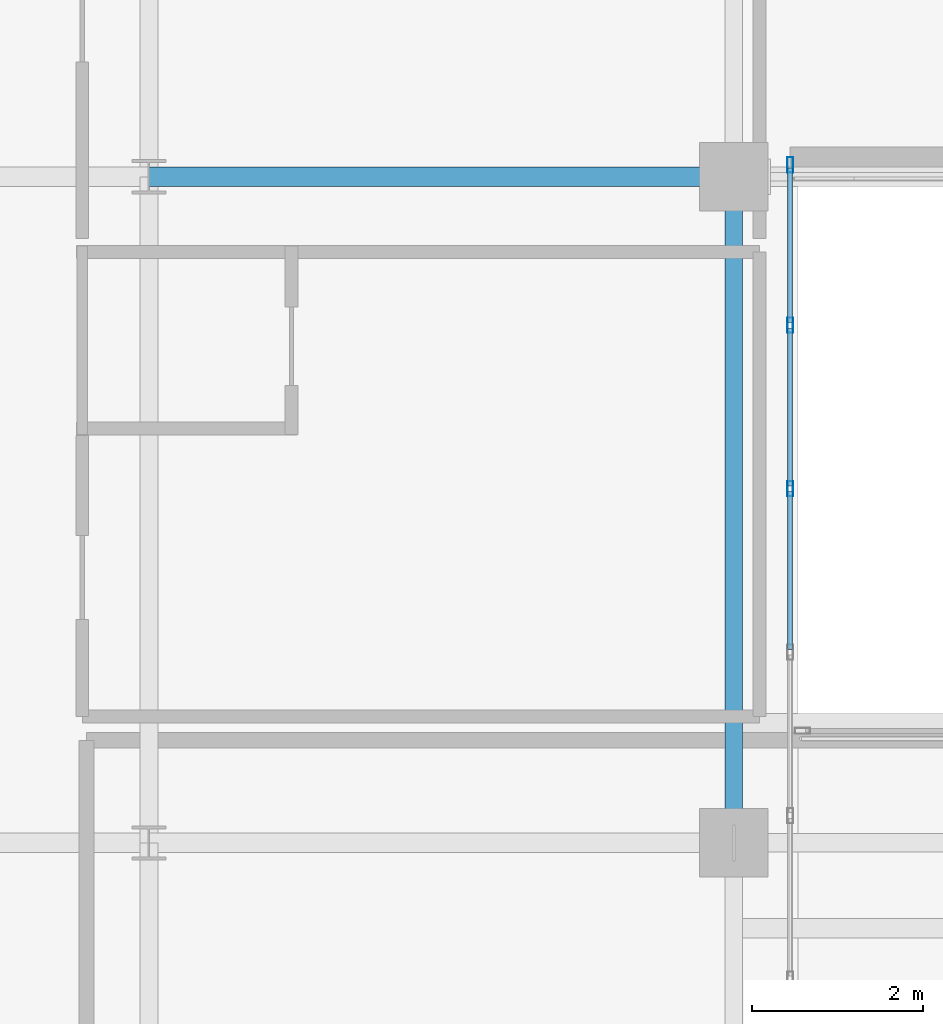
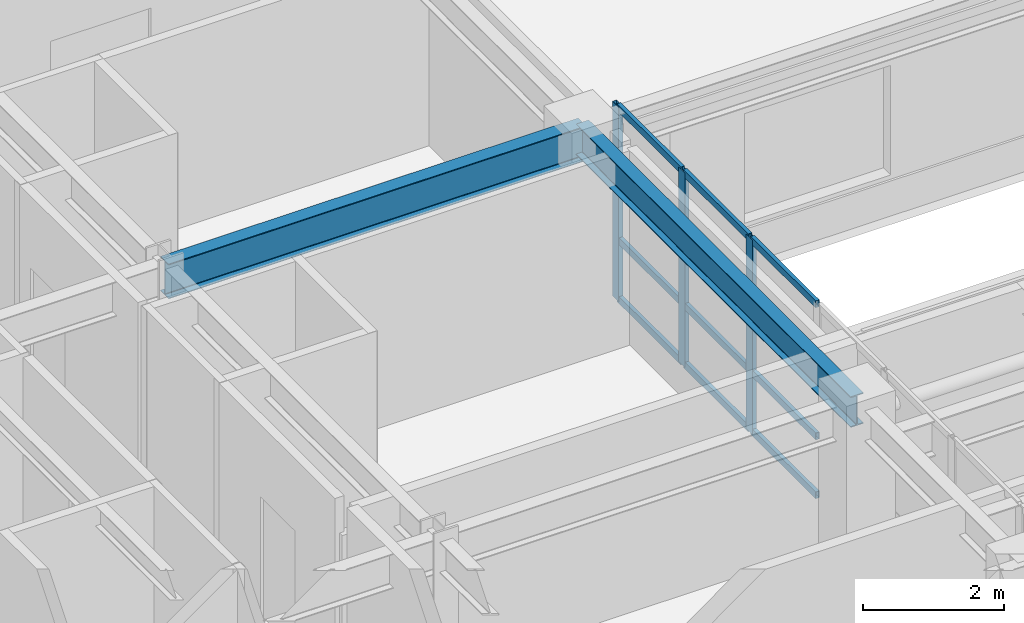
# One storey, part 5 of 26: 12 members, 2 beams, 1 element without a shape of its own.
"""IFC4 building model written with IfcOpenShell, lengths in metres."""

import ifcopenshell
import ifcopenshell.guid

model = None  # the IFC model being written
_history = None  # IfcOwnerHistory: only IFC2X3 demands one
_inside = {}  # id of a spatial element -> (the spatial element, [elements in it])
_under = {}  # id of a project, library or spatial element -> (it, [spatial elements below it])
_declared = {}  # id of a project -> (the project, [libraries it declares])
_typed = {}  # id of a type object -> (the type object, [elements of that type])
_made_of = {}  # id of a material, layer set ... -> (it, [elements and type objects made of it])


def new_model(schema):
    """Start an empty IFC model of exactly this schema.

    Asked for "IFC4X3", IfcOpenShell would pick the latest addendum, in which some entities
    have other attributes; the version numbers below select the first issue.
    IFC2X3 requires an IfcOwnerHistory on every rooted entity: one is made here for all.
    """
    global model, _history
    if schema == "IFC4X3":
        model = ifcopenshell.file(schema_version=(4, 3, 0, 0))
    else:
        model = ifcopenshell.file(schema=schema)
    _inside.clear()
    _under.clear()
    _declared.clear()
    _typed.clear()
    _made_of.clear()
    _history = None
    if model.schema == "IFC2X3":
        org = make("IfcOrganization", Name="unknown")
        user = make(
            "IfcPersonAndOrganization",
            ThePerson=make("IfcPerson", FamilyName="unknown"),
            TheOrganization=org,
        )
        app = make(
            "IfcApplication",
            ApplicationDeveloper=org,
            Version="unknown",
            ApplicationFullName="unknown",
            ApplicationIdentifier="unknown",
        )
        _history = make(
            "IfcOwnerHistory",
            OwningUser=user,
            OwningApplication=app,
            ChangeAction="ADDED",
            CreationDate=0,
        )
    return model


def make(cls, **values):
    """One entity of the class cls with the attributes given. An attribute that is None is left unset."""
    return model.create_entity(
        cls, **{name: value for name, value in values.items() if value is not None}
    )


def rooted(cls, **values):
    """An entity with a GlobalId (a new one), such as an element, a storey or a relation."""
    return make(cls, GlobalId=ifcopenshell.guid.new(), OwnerHistory=_history, **values)


def si_unit(unit_type, name, prefix=None):
    """IfcSIUnit, for example si_unit("LENGTHUNIT", "METRE", prefix="MILLI")."""
    return make("IfcSIUnit", UnitType=unit_type, Prefix=prefix, Name=name)


def assignment(units):
    """IfcUnitAssignment: the units of a project."""
    return None if units is None else make("IfcUnitAssignment", Units=units)


def point(xyz):
    """IfcCartesianPoint."""
    return None if xyz is None else make("IfcCartesianPoint", Coordinates=xyz)


def direction(xyz):
    """IfcDirection."""
    return None if xyz is None else make("IfcDirection", DirectionRatios=xyz)


def frame(location, z_axis=None, x_axis=None):
    """IfcAxis2Placement3D, a coordinate frame: its origin and axes. An axis left out is left unset."""
    return make(
        "IfcAxis2Placement3D",
        Location=point(location),
        Axis=direction(z_axis),
        RefDirection=direction(x_axis),
    )


def frame_2d(location, x_axis=None):
    """IfcAxis2Placement2D, a coordinate frame in the plane: its origin and x axis."""
    return make(
        "IfcAxis2Placement2D", Location=point(location), RefDirection=direction(x_axis)
    )


def origin():
    """The frame at (0, 0, 0) with its axes left unset."""
    return frame((0.0, 0.0, 0.0))


def origin_2d():
    """The frame at (0, 0) in the plane with its x axis left unset."""
    return frame_2d((0.0, 0.0))


def place(relative_to, where):
    """IfcLocalPlacement: puts the frame where relative to a parent placement (None: the world)."""
    return make(
        "IfcLocalPlacement", PlacementRelTo=relative_to, RelativePlacement=where
    )


def context(
    kind, dimensions, precision=None, world=None, true_north=None, identifier=None
):
    """IfcGeometricRepresentationContext, for example the 3D "Model" context."""
    return make(
        "IfcGeometricRepresentationContext",
        ContextIdentifier=identifier,
        ContextType=kind,
        CoordinateSpaceDimension=dimensions,
        Precision=precision,
        WorldCoordinateSystem=world,
        TrueNorth=true_north,
    )


def subcontext(parent, identifier, kind, view, scale=None):
    """IfcGeometricRepresentationSubContext, for example "Body" below "Model"."""
    return make(
        "IfcGeometricRepresentationSubContext",
        ContextIdentifier=identifier,
        ContextType=kind,
        ParentContext=parent,
        TargetScale=scale,
        TargetView=view,
    )


def project(units=None, contexts=None):
    """IfcProject with its units and contexts."""
    return rooted(
        "IfcProject",
        Name="project",
        RepresentationContexts=contexts,
        UnitsInContext=assignment(units),
    )


def spatial(cls, under=None, at=None, **own):
    """A site, building, storey or space (cls), placed at a placement, below another one or the project."""
    s = rooted(cls, ObjectPlacement=at, **own)
    if under is not None:
        _under.setdefault(under.id(), (under, []))[1].append(s)
    return s


def profile(cls, at=None, kind="AREA", **sizes):
    """A parametric profile (cls). Its sizes go by their IFC names, for example OverallWidth=200.0."""
    return make(cls, ProfileType=kind, Position=at, **sizes)


def hollow_rectangle(**sizes):
    """IfcRectangleHollowProfileDef."""
    return profile("IfcRectangleHollowProfileDef", **sizes)


def i_section(**sizes):
    """IfcIShapeProfileDef."""
    return profile("IfcIShapeProfileDef", **sizes)


def extrude(swept, where, along, depth):
    """IfcExtrudedAreaSolid: the profile swept, set in the frame where, extruded along a direction by depth."""
    return make(
        "IfcExtrudedAreaSolid",
        SweptArea=swept,
        Position=where,
        ExtrudedDirection=direction(along),
        Depth=depth,
    )


def shape(context_of_items, identifier, shape_type, items):
    """IfcShapeRepresentation: the items that make up one representation, for example the "Body"."""
    return make(
        "IfcShapeRepresentation",
        ContextOfItems=context_of_items,
        RepresentationIdentifier=identifier,
        RepresentationType=shape_type,
        Items=items,
    )


def source(mapping_origin, context_of_items, identifier, shape_type, items):
    """IfcRepresentationMap: a shape defined once, which mapped items show again and again."""
    return make(
        "IfcRepresentationMap",
        MappingOrigin=mapping_origin,
        MappedRepresentation=shape(context_of_items, identifier, shape_type, items),
    )


def transform(
    local_origin,
    x_axis=None,
    y_axis=None,
    z_axis=None,
    scale=None,
    scale2=None,
    scale3=None,
    uniform=True,
):
    """IfcCartesianTransformationOperator3D, or its non-uniform kind. x_axis, y_axis, z_axis: its Axis1, 2, 3."""
    if uniform:
        return make(
            "IfcCartesianTransformationOperator3D",
            Axis1=direction(x_axis),
            Axis2=direction(y_axis),
            LocalOrigin=point(local_origin),
            Scale=scale,
            Axis3=direction(z_axis),
        )
    return make(
        "IfcCartesianTransformationOperator3DnonUniform",
        Axis1=direction(x_axis),
        Axis2=direction(y_axis),
        LocalOrigin=point(local_origin),
        Scale=scale,
        Axis3=direction(z_axis),
        Scale2=scale2,
        Scale3=scale3,
    )


def mapped(mapping_source, mapping_target):
    """IfcMappedItem: shows the shape of a source again, moved by a transform."""
    return make(
        "IfcMappedItem", MappingSource=mapping_source, MappingTarget=mapping_target
    )


def material(Name=None, Category=None):
    """IfcMaterial."""
    return make("IfcMaterial", Name=Name, Category=Category)


def layer(
    of_material, thickness, ventilated=None, Name=None, Category=None, Priority=None
):
    """IfcMaterialLayer: one layer of a wall or slab, of a material (None: an air gap)."""
    return make(
        "IfcMaterialLayer",
        Material=of_material,
        LayerThickness=thickness,
        IsVentilated=ventilated,
        Name=Name,
        Category=Category,
        Priority=Priority,
    )


def layer_set(layers, Name=None):
    """IfcMaterialLayerSet."""
    return make("IfcMaterialLayerSet", MaterialLayers=layers, LayerSetName=Name)


def material_profile(
    of_material, cross_section, Name=None, Category=None, Priority=None
):
    """IfcMaterialProfile: a cross section and its material."""
    return make(
        "IfcMaterialProfile",
        Name=Name,
        Material=of_material,
        Profile=cross_section,
        Priority=Priority,
        Category=Category,
    )


def profile_set(profiles, Name=None, composite=None):
    """IfcMaterialProfileSet."""
    return make(
        "IfcMaterialProfileSet",
        Name=Name,
        MaterialProfiles=profiles,
        CompositeProfile=composite,
    )


def made_of(thing, what):
    """Note that an element or type object is made of a material, layer set ...; save() writes the relation."""
    if what is not None:
        _made_of.setdefault(what.id(), (what, []))[1].append(thing)
    return thing


def type_object(cls, material=None, **own):
    """A type object (cls), such as IfcWallType, which elements share."""
    return made_of(rooted(cls, **own), material)


def type_shapes(of_type, sources):
    """Give a type object the sources (RepresentationMaps) that its elements show as mapped items."""
    of_type.RepresentationMaps = sources


def element(
    cls,
    number,
    at=None,
    inside=None,
    cuts=None,
    type_object=None,
    material=None,
    context=None,
    identifier="Body",
    shape_type=None,
    held_by="IfcProductDefinitionShape",
    body=None,
    shapes=None,
    **own,
):
    """One element of the class cls, such as IfcWall. Its Tag is "e" and its number.

    at: its placement. inside: the storey or other place that contains it. cuts: it is an
    opening in that element (IfcRelVoidsElement). A single representation is given by context,
    identifier, shape_type and body (its items); several are given by shapes. held_by: the class
    of the entity that holds the representations. save() writes the other relations.
    """
    e = rooted(cls, Tag="e%d" % number, ObjectPlacement=at, **own)
    if body is not None:
        shapes = [shape(context, identifier, shape_type, body)]
    if shapes is not None:
        e.Representation = make(held_by, Representations=shapes)
    if inside is not None:
        _inside.setdefault(inside.id(), (inside, []))[1].append(e)
    if cuts is not None:
        rooted(
            "IfcRelVoidsElement", RelatingBuildingElement=cuts, RelatedOpeningElement=e
        )
    if type_object is not None:
        _typed.setdefault(type_object.id(), (type_object, []))[1].append(e)
    return made_of(e, material)


def aggregate(whole, parts):
    """IfcRelAggregates: a whole, such as a stair, and the parts it consists of."""
    return rooted("IfcRelAggregates", RelatingObject=whole, RelatedObjects=parts)


def save(model, path):
    """Write the relations noted so far, then the file.

    IfcRelAggregates (storeys below a building ...), IfcRelContainedInSpatialStructure (elements
    in a storey), IfcRelDefinesByType, IfcRelAssociatesMaterial and IfcRelDeclares: one each for
    every whole, place, type object, material and project.
    """
    for whole, parts in _under.values():
        aggregate(whole, parts)
    for where, things in _inside.values():
        rooted(
            "IfcRelContainedInSpatialStructure",
            RelatedElements=things,
            RelatingStructure=where,
        )
    for kind, things in _typed.values():
        rooted("IfcRelDefinesByType", RelatedObjects=things, RelatingType=kind)
    for what, things in _made_of.values():
        rooted("IfcRelAssociatesMaterial", RelatedObjects=things, RelatingMaterial=what)
    for by, libraries in _declared.values():
        rooted("IfcRelDeclares", RelatingContext=by, RelatedDefinitions=libraries)
    model.write(path)


model = new_model("IFC4")

# Units and contexts
model_context = context("Model", 3, precision=1e-05, world=origin(), true_north=direction((0.0, 1.0)))
body_context = subcontext(model_context, "Body", "Model", "MODEL_VIEW")
ifc_project = project(units=[si_unit("LENGTHUNIT", "METRE"), si_unit("AREAUNIT", "SQUARE_METRE"), si_unit("VOLUMEUNIT", "CUBIC_METRE"), si_unit("PLANEANGLEUNIT", "RADIAN"), si_unit("MASSUNIT", "GRAM", prefix="KILO")], contexts=[model_context])

# Site, building, storey
site_placement = place(None, origin())
site = spatial("IfcSite", under=ifc_project, at=site_placement, CompositionType="ELEMENT")
building_placement = place(site_placement, origin())
building = spatial("IfcBuilding", under=site, at=building_placement, Name="Tolvann Quenvar Hotel", CompositionType="ELEMENT")
storey_placement = place(building_placement, frame((0.0, 0.0, 168.35009765625)))
storey = spatial("IfcBuildingStorey", under=building, at=storey_placement, Name="L44", CompositionType="ELEMENT", Elevation=168.35009765625)

# Beams
ifc_material_1 = material(Name="Steel Grade 350", Category="steel")
ifc_material_profile_1 = material_profile(ifc_material_1, i_section(OverallWidth=0.208984375, OverallDepth=0.532958984375, WebThickness=0.01025390625, FlangeThickness=0.015625, FilletRadius=0.013916015625, at=origin_2d()), Name="530UB92")
ifc_profile_set_1 = profile_set([ifc_material_profile_1], Name="Steel Grade 350")
beam_type_1 = type_object("IfcBeamType", Name="BM_GIRD_530UB92", PredefinedType="BEAM", material=ifc_profile_set_1)
shared_shape_1 = source(origin(), body_context, "Body", "SweptSolid", [
    extrude(i_section(OverallWidth=0.208984375, OverallDepth=0.532958984375, WebThickness=0.01025390625, FlangeThickness=0.015625, FilletRadius=0.013916015625, at=origin_2d()), origin(), (0.0, 0.0, 1.0), 7.800048828125),
])
type_shapes(beam_type_1, [shared_shape_1])
beam_1_placement = place(storey_placement, frame((22.050048828125, 8.199951171875, 3.103515625), z_axis=(0.0, 1.0, 0.0), x_axis=(-1.0, 0.0, 0.0)))
element("IfcBeam", 1, at=beam_1_placement, inside=storey, type_object=beam_type_1, Name="BM-L44-NS-E3-E4", PredefinedType="BEAM", context=body_context, shape_type="MappedRepresentation", body=[
    mapped(shared_shape_1, transform((0.0, 0.0, 0.0), x_axis=(1.0, 0.0, 0.0), y_axis=(0.0, 1.0, 0.0), z_axis=(0.0, 0.0, 1.0), scale=1.0)),
])
ifc_material_profile_2 = material_profile(ifc_material_1, i_section(OverallWidth=0.22802734375, OverallDepth=0.60205078125, WebThickness=0.010498046875, FlangeThickness=0.014892578125, FilletRadius=0.013916015625, at=origin_2d()), Name="610UB101")
ifc_profile_set_2 = profile_set([ifc_material_profile_2], Name="Steel Grade 350")
beam_type_2 = type_object("IfcBeamType", Name="BM_GIRD_610UB101", PredefinedType="BEAM", material=ifc_profile_set_2)
shared_shape_2 = source(origin(), body_context, "Body", "SweptSolid", [
    extrude(i_section(OverallWidth=0.22802734375, OverallDepth=0.60205078125, WebThickness=0.010498046875, FlangeThickness=0.014892578125, FilletRadius=0.013916015625, at=origin_2d()), origin(), (0.0, 0.0, 1.0), 6.85009765625),
])
type_shapes(beam_type_2, [shared_shape_2])
beam_2_placement = place(storey_placement, frame((15.199951171875, 16.0, 3.06884765625), z_axis=(1.0, 0.0, 0.0), x_axis=(0.0, 1.0, 0.0)))
element("IfcBeam", 2, at=beam_2_placement, inside=storey, type_object=beam_type_2, Name="BM-L44-EW-4-D4-E4", PredefinedType="BEAM", context=body_context, shape_type="MappedRepresentation", body=[
    mapped(shared_shape_2, transform((0.0, 0.0, 0.0), x_axis=(1.0, 0.0, 0.0), y_axis=(0.0, 1.0, 0.0), z_axis=(0.0, 0.0, 1.0), scale=1.0)),
])

# Curtain wall, members
ifc_material_2 = material(Name="Thermally broken anodised architectural aluminium 6063-T6 and laminated low-E glass", Category="aluminium")
ifc_layer = layer(ifc_material_2, 0.179931640625)
ifc_layer_set = layer_set([ifc_layer], Name="Thermally broken anodised architectural aluminium 6063-T6 and laminated low-E glass")
curtain_wall_type = type_object("IfcCurtainWallType", Name="CW_SYS_SLOT_03", PredefinedType="USERDEFINED", material=ifc_layer_set)
curtain_wall_placement = place(storey_placement, origin())
curtain_wall = element("IfcCurtainWall", 3, at=curtain_wall_placement, inside=storey, type_object=curtain_wall_type, Name="Curtain Wall CW-SLOT-03 (CWR-L44-E05)", ObjectType="UNITISED CURTAIN WALL", PredefinedType="USERDEFINED")
ifc_material_3 = material(Name="Anodised architectural aluminium 6063-T6 framing", Category="aluminium")
ifc_material_profile_3 = material_profile(ifc_material_3, hollow_rectangle(XDim=0.070068359375, YDim=0.179931640625, WallThickness=0.00390625, at=origin_2d()), Name="180x70x4RHS")
ifc_profile_set_3 = profile_set([ifc_material_profile_3], Name="Anodised architectural aluminium 6063-T6 framing")
member_type_1 = type_object("IfcMemberType", Name="CW_MULL_180x70", PredefinedType="MULLION", material=ifc_profile_set_3)
shared_shape_3 = source(origin(), body_context, "Body", "SweptSolid", [
    extrude(hollow_rectangle(XDim=0.070068359375, YDim=0.179931640625, WallThickness=0.00390625, at=origin_2d()), origin(), (0.0, 0.0, 1.0), 3.369873046875),
])
type_shapes(member_type_1, [shared_shape_3])
member_1_placement = place(storey_placement, frame((22.7099609375, 12.346435546875, 0.0), z_axis=(0.0, 0.0, 1.0), x_axis=(-1.0, 0.0, 0.0)))
member_1 = element("IfcMember", 4, at=member_1_placement, type_object=member_type_1, Name="CW-SLOT-03 mullion 6", PredefinedType="MULLION", context=body_context, shape_type="MappedRepresentation", body=[
    mapped(shared_shape_3, transform((0.0, 0.0, 0.0), x_axis=(1.0, 0.0, 0.0), y_axis=(0.0, 1.0, 0.0), z_axis=(0.0, 0.0, 1.0), scale=1.0)),
])
member_2_placement = place(storey_placement, frame((22.7099609375, 14.2607421875, 0.0), z_axis=(0.0, 0.0, 1.0), x_axis=(-1.0, 0.0, 0.0)))
member_2 = element("IfcMember", 5, at=member_2_placement, type_object=member_type_1, Name="CW-SLOT-03 mullion 7", PredefinedType="MULLION", context=body_context, shape_type="MappedRepresentation", body=[
    mapped(shared_shape_3, transform((0.0, 0.0, 0.0), x_axis=(1.0, 0.0, 0.0), y_axis=(0.0, 1.0, 0.0), z_axis=(0.0, 0.0, 1.0), scale=1.0)),
])
member_3_placement = place(storey_placement, frame((22.7099609375, 16.139892578125, 0.0), z_axis=(0.0, 0.0, 1.0), x_axis=(-1.0, 0.0, 0.0)))
member_3 = element("IfcMember", 6, at=member_3_placement, type_object=member_type_1, Name="CW-SLOT-03 mullion 8", PredefinedType="MULLION", context=body_context, shape_type="MappedRepresentation", body=[
    mapped(shared_shape_3, transform((0.0, 0.0, 0.0), x_axis=(1.0, 0.0, 0.0), y_axis=(0.0, 1.0, 0.0), z_axis=(0.0, 0.0, 1.0), scale=1.0)),
])
ifc_material_profile_4 = material_profile(ifc_material_3, hollow_rectangle(XDim=0.06005859375, YDim=0.1201171875, WallThickness=0.00341796875, at=origin_2d()), Name="120x60x3.5RHS")
ifc_profile_set_4 = profile_set([ifc_material_profile_4], Name="Anodised architectural aluminium 6063-T6 framing")
member_type_2 = type_object("IfcMemberType", Name="CW_TRAN_120x60", PredefinedType="USERDEFINED", material=ifc_profile_set_4)
shared_shape_4 = source(origin(), body_context, "Body", "SweptSolid", [
    extrude(hollow_rectangle(XDim=0.06005859375, YDim=0.1201171875, WallThickness=0.00341796875, at=origin_2d()), origin(), (0.0, 0.0, 1.0), 1.809326171875),
])
member_4_placement = place(storey_placement, frame((22.7099609375, 14.295654296875, 0.02978515625), z_axis=(0.0, 1.0, 0.0), x_axis=(-1.0, 0.0, 0.0)))
member_4 = element("IfcMember", 7, at=member_4_placement, type_object=member_type_2, Name="CW-SLOT-03 transom 7.1", ObjectType="TRANSOM", PredefinedType="USERDEFINED", context=body_context, shape_type="MappedRepresentation", body=[
    mapped(shared_shape_4, transform((0.0, 0.0, 0.0), x_axis=(1.0, 0.0, 0.0), y_axis=(0.0, 1.0, 0.0), z_axis=(0.0, 0.0, 1.0), scale=1.0)),
])
member_5_placement = place(storey_placement, frame((22.7099609375, 14.295654296875, 1.0498046875), z_axis=(0.0, 1.0, 0.0), x_axis=(-1.0, 0.0, 0.0)))
member_5 = element("IfcMember", 8, at=member_5_placement, type_object=member_type_2, Name="CW-SLOT-03 transom 7.2", ObjectType="TRANSOM", PredefinedType="USERDEFINED", context=body_context, shape_type="MappedRepresentation", body=[
    mapped(shared_shape_4, transform((0.0, 0.0, 0.0), x_axis=(1.0, 0.0, 0.0), y_axis=(0.0, 1.0, 0.0), z_axis=(0.0, 0.0, 1.0), scale=1.0)),
])
member_6_placement = place(storey_placement, frame((22.7099609375, 14.295654296875, 3.33984375), z_axis=(0.0, 1.0, 0.0), x_axis=(-1.0, 0.0, 0.0)))
member_6 = element("IfcMember", 9, at=member_6_placement, type_object=member_type_2, Name="CW-SLOT-03 transom 7.3", ObjectType="TRANSOM", PredefinedType="USERDEFINED", context=body_context, shape_type="MappedRepresentation", body=[
    mapped(shared_shape_4, transform((0.0, 0.0, 0.0), x_axis=(1.0, 0.0, 0.0), y_axis=(0.0, 1.0, 0.0), z_axis=(0.0, 0.0, 1.0), scale=1.0)),
])
shared_shape_5 = source(origin(), body_context, "Body", "SweptSolid", [
    extrude(hollow_rectangle(XDim=0.06005859375, YDim=0.1201171875, WallThickness=0.00341796875, at=origin_2d()), origin(), (0.0, 0.0, 1.0), 1.844482421875),
])
type_shapes(member_type_2, [shared_shape_4, shared_shape_5])
member_7_placement = place(storey_placement, frame((22.7099609375, 10.467041015625, 0.02978515625), z_axis=(0.0, 1.0, 0.0), x_axis=(-1.0, 0.0, 0.0)))
member_7 = element("IfcMember", 10, at=member_7_placement, type_object=member_type_2, Name="CW-SLOT-03 transom 5.1", ObjectType="TRANSOM", PredefinedType="USERDEFINED", context=body_context, shape_type="MappedRepresentation", body=[
    mapped(shared_shape_5, transform((0.0, 0.0, 0.0), x_axis=(1.0, 0.0, 0.0), y_axis=(0.0, 1.0, 0.0), z_axis=(0.0, 0.0, 1.0), scale=1.0)),
])
member_8_placement = place(storey_placement, frame((22.7099609375, 10.467041015625, 1.0498046875), z_axis=(0.0, 1.0, 0.0), x_axis=(-1.0, 0.0, 0.0)))
member_8 = element("IfcMember", 11, at=member_8_placement, type_object=member_type_2, Name="CW-SLOT-03 transom 5.2", ObjectType="TRANSOM", PredefinedType="USERDEFINED", context=body_context, shape_type="MappedRepresentation", body=[
    mapped(shared_shape_5, transform((0.0, 0.0, 0.0), x_axis=(1.0, 0.0, 0.0), y_axis=(0.0, 1.0, 0.0), z_axis=(0.0, 0.0, 1.0), scale=1.0)),
])
member_9_placement = place(storey_placement, frame((22.7099609375, 10.467041015625, 3.33984375), z_axis=(0.0, 1.0, 0.0), x_axis=(-1.0, 0.0, 0.0)))
member_9 = element("IfcMember", 12, at=member_9_placement, type_object=member_type_2, Name="CW-SLOT-03 transom 5.3", ObjectType="TRANSOM", PredefinedType="USERDEFINED", context=body_context, shape_type="MappedRepresentation", body=[
    mapped(shared_shape_5, transform((0.0, 0.0, 0.0), x_axis=(1.0, 0.0, 0.0), y_axis=(0.0, 1.0, 0.0), z_axis=(0.0, 0.0, 1.0), scale=1.0)),
])
member_10_placement = place(storey_placement, frame((22.7099609375, 12.38134765625, 0.02978515625), z_axis=(0.0, 1.0, 0.0), x_axis=(-1.0, 0.0, 0.0)))
member_10 = element("IfcMember", 13, at=member_10_placement, type_object=member_type_2, Name="CW-SLOT-03 transom 6.1", ObjectType="TRANSOM", PredefinedType="USERDEFINED", context=body_context, shape_type="MappedRepresentation", body=[
    mapped(shared_shape_5, transform((0.0, 0.0, 0.0), x_axis=(1.0, 0.0, 0.0), y_axis=(0.0, 1.0, 0.0), z_axis=(0.0, 0.0, 1.0), scale=1.0)),
])
member_11_placement = place(storey_placement, frame((22.7099609375, 12.38134765625, 1.0498046875), z_axis=(0.0, 1.0, 0.0), x_axis=(-1.0, 0.0, 0.0)))
member_11 = element("IfcMember", 14, at=member_11_placement, type_object=member_type_2, Name="CW-SLOT-03 transom 6.2", ObjectType="TRANSOM", PredefinedType="USERDEFINED", context=body_context, shape_type="MappedRepresentation", body=[
    mapped(shared_shape_5, transform((0.0, 0.0, 0.0), x_axis=(1.0, 0.0, 0.0), y_axis=(0.0, 1.0, 0.0), z_axis=(0.0, 0.0, 1.0), scale=1.0)),
])
member_12_placement = place(storey_placement, frame((22.7099609375, 12.38134765625, 3.33984375), z_axis=(0.0, 1.0, 0.0), x_axis=(-1.0, 0.0, 0.0)))
member_12 = element("IfcMember", 15, at=member_12_placement, type_object=member_type_2, Name="CW-SLOT-03 transom 6.3", ObjectType="TRANSOM", PredefinedType="USERDEFINED", context=body_context, shape_type="MappedRepresentation", body=[
    mapped(shared_shape_5, transform((0.0, 0.0, 0.0), x_axis=(1.0, 0.0, 0.0), y_axis=(0.0, 1.0, 0.0), z_axis=(0.0, 0.0, 1.0), scale=1.0)),
])
aggregate(curtain_wall, [member_1, member_2, member_3, member_7, member_8, member_9, member_10, member_11, member_12, member_4, member_5, member_6])

save(model, "model.ifc")
